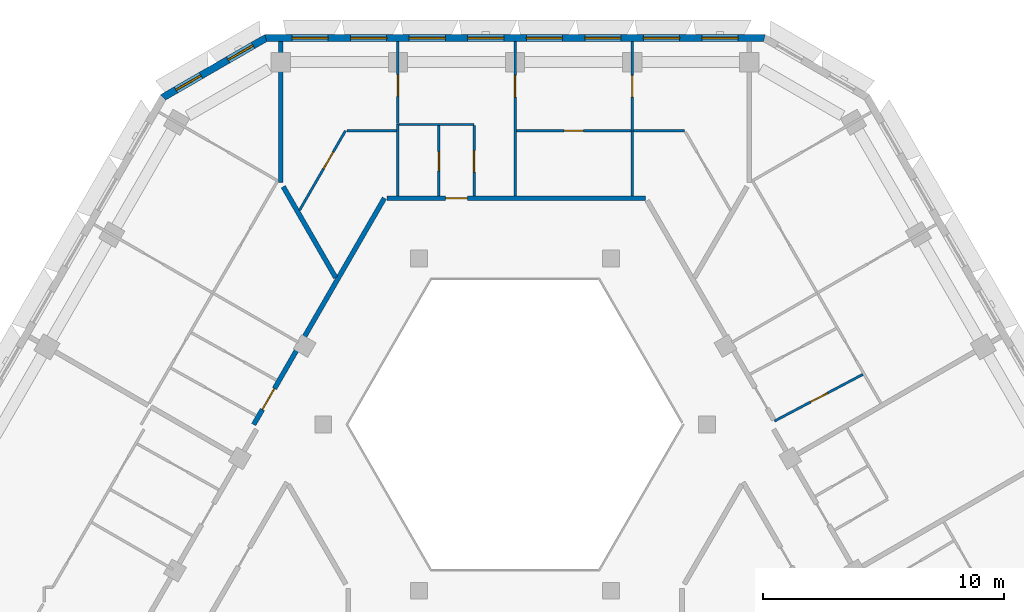
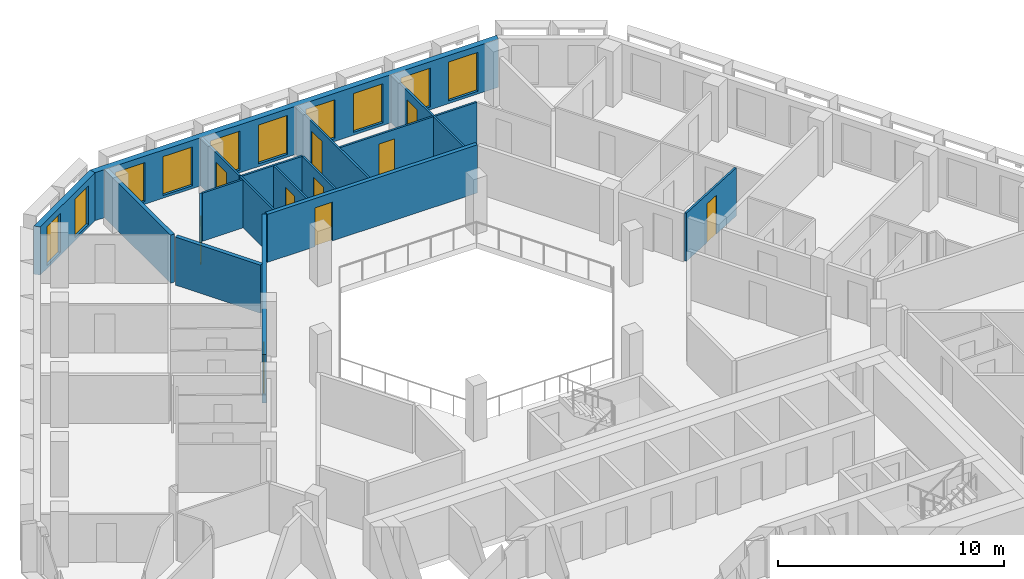
# One storey, part 8 of 18: 18 walls, 10 doors, 10 windows, 20 openings.
"""IFC4 building model written with IfcOpenShell, lengths in metres."""

from ifc_helpers import new_model, si_unit, direction, frame, frame_2d, origin, place, context, subcontext, project, spatial, polyline, rectangle, outline, extrude, material, layer, layer_set, type_object, element, fill, save


model = new_model("IFC4")

# Units and contexts
model_context = context("Model", 3, precision=1e-05, world=origin(), true_north=direction((0.0, 1.0)))
body_context = subcontext(model_context, "Body", "Model", "MODEL_VIEW")
ifc_project = project(units=[si_unit("LENGTHUNIT", "METRE"), si_unit("AREAUNIT", "SQUARE_METRE"), si_unit("VOLUMEUNIT", "CUBIC_METRE"), si_unit("PLANEANGLEUNIT", "RADIAN"), si_unit("MASSUNIT", "GRAM", prefix="KILO")], contexts=[model_context])

# Site, building, storey
site_placement = place(None, origin())
site = spatial("IfcSite", under=ifc_project, at=site_placement, CompositionType="ELEMENT")
building_placement = place(site_placement, origin())
building = spatial("IfcBuilding", under=site, at=building_placement, Name="Beryl Residences", CompositionType="ELEMENT")
storey_placement = place(building_placement, frame((0.0, 0.0, 196.199951171875)))
storey = spatial("IfcBuildingStorey", under=building, at=storey_placement, Name="L60", CompositionType="ELEMENT", Elevation=196.199951171875)

# Wall, openings, windows
ifc_material_1 = material(Name="Composite metal panel with mineral wool insulation")
ifc_layer_1 = layer(ifc_material_1, 0.300048828125)
ifc_layer_set_1 = layer_set([ifc_layer_1], Name="ES1 pale metal composite panel wall 300 mm")
wall_type_1 = type_object("IfcWallType", Name="ES1 pale metal composite panel wall 300 mm", PredefinedType="SOLIDWALL", material=ifc_layer_set_1)
wall_1_placement = place(storey_placement, frame((10.39208984375, 24.050048828125, 0.0), z_axis=(0.0, 0.0, 1.0), x_axis=(-1.0, 0.0, 0.0)))
wall_1 = element("IfcWall", 1, at=wall_1_placement, inside=storey, type_object=wall_type_1, Name="ES1 external wall L60 N", PredefinedType="SOLIDWALL", context=body_context, shape_type="SweptSolid", body=[
    extrude(outline(polyline([(0.0, -0.14990234375), (20.7841796875, -0.14990234375), (20.703857421875, 0.14990234375), (0.080322265625, 0.14990234375), (0.0, -0.14990234375)])), origin(), (0.0, 0.0, 1.0), 2.60009765625),
])
opening_1_placement = place(wall_1_placement, frame((1.1298828125, 0.0, 0.14990234375)))
opening_1 = element("IfcOpeningElement", 2, at=opening_1_placement, cuts=wall_1, Name="Opening W1", PredefinedType="OPENING", context=body_context, shape_type="SweptSolid", body=[
    extrude(rectangle(XDim=1.5, YDim=2.10009765625, at=frame_2d((0.75, 1.050048828125))), frame((0.0, 0.159912109375, 0.0), z_axis=(0.0, -1.0, 0.0), x_axis=(1.0, 0.0, 0.0)), (0.0, 0.0, 1.0), 0.320068359375),
])
opening_2_placement = place(wall_1_placement, frame((3.56201171875, 0.0, 0.14990234375)))
opening_2 = element("IfcOpeningElement", 3, at=opening_2_placement, cuts=wall_1, Name="Opening W1", PredefinedType="OPENING", context=body_context, shape_type="SweptSolid", body=[
    extrude(rectangle(XDim=1.5, YDim=2.10009765625, at=frame_2d((0.75, 1.050048828125))), frame((0.0, 0.159912109375, 0.0), z_axis=(0.0, -1.0, 0.0), x_axis=(1.0, 0.0, 0.0)), (0.0, 0.0, 1.0), 0.320068359375),
])
opening_3_placement = place(wall_1_placement, frame((5.993896484375, 0.0, 0.14990234375)))
opening_3 = element("IfcOpeningElement", 4, at=opening_3_placement, cuts=wall_1, Name="Opening W1", PredefinedType="OPENING", context=body_context, shape_type="SweptSolid", body=[
    extrude(rectangle(XDim=1.5, YDim=2.10009765625, at=frame_2d((0.75, 1.050048828125))), frame((0.0, 0.159912109375, 0.0), z_axis=(0.0, -1.0, 0.0), x_axis=(1.0, 0.0, 0.0)), (0.0, 0.0, 1.0), 0.320068359375),
])
opening_4_placement = place(wall_1_placement, frame((8.426025390625, 0.0, 0.14990234375)))
opening_4 = element("IfcOpeningElement", 5, at=opening_4_placement, cuts=wall_1, Name="Opening W1", PredefinedType="OPENING", context=body_context, shape_type="SweptSolid", body=[
    extrude(rectangle(XDim=1.5, YDim=2.10009765625, at=frame_2d((0.75, 1.050048828125))), frame((0.0, 0.159912109375, 0.0), z_axis=(0.0, -1.0, 0.0), x_axis=(1.0, 0.0, 0.0)), (0.0, 0.0, 1.0), 0.320068359375),
])
opening_5_placement = place(wall_1_placement, frame((10.85791015625, 0.0, 0.14990234375)))
opening_5 = element("IfcOpeningElement", 6, at=opening_5_placement, cuts=wall_1, Name="Opening W1", PredefinedType="OPENING", context=body_context, shape_type="SweptSolid", body=[
    extrude(rectangle(XDim=1.5, YDim=2.10009765625, at=frame_2d((0.75, 1.050048828125))), frame((0.0, 0.159912109375, 0.0), z_axis=(0.0, -1.0, 0.0), x_axis=(1.0, 0.0, 0.0)), (0.0, 0.0, 1.0), 0.320068359375),
])
opening_6_placement = place(wall_1_placement, frame((13.2900390625, 0.0, 0.14990234375)))
opening_6 = element("IfcOpeningElement", 7, at=opening_6_placement, cuts=wall_1, Name="Opening W1", PredefinedType="OPENING", context=body_context, shape_type="SweptSolid", body=[
    extrude(rectangle(XDim=1.5, YDim=2.10009765625, at=frame_2d((0.75, 1.050048828125))), frame((0.0, 0.159912109375, 0.0), z_axis=(0.0, -1.0, 0.0), x_axis=(1.0, 0.0, 0.0)), (0.0, 0.0, 1.0), 0.320068359375),
])
opening_7_placement = place(wall_1_placement, frame((15.721923828125, 0.0, 0.14990234375)))
opening_7 = element("IfcOpeningElement", 8, at=opening_7_placement, cuts=wall_1, Name="Opening W1", PredefinedType="OPENING", context=body_context, shape_type="SweptSolid", body=[
    extrude(rectangle(XDim=1.5, YDim=2.10009765625, at=frame_2d((0.75, 1.050048828125))), frame((0.0, 0.159912109375, 0.0), z_axis=(0.0, -1.0, 0.0), x_axis=(1.0, 0.0, 0.0)), (0.0, 0.0, 1.0), 0.320068359375),
])
opening_8_placement = place(wall_1_placement, frame((18.154052734375, 0.0, 0.14990234375)))
opening_8 = element("IfcOpeningElement", 9, at=opening_8_placement, cuts=wall_1, Name="Opening W1", PredefinedType="OPENING", context=body_context, shape_type="SweptSolid", body=[
    extrude(rectangle(XDim=1.5, YDim=2.10009765625, at=frame_2d((0.75, 1.050048828125))), frame((0.0, 0.159912109375, 0.0), z_axis=(0.0, -1.0, 0.0), x_axis=(1.0, 0.0, 0.0)), (0.0, 0.0, 1.0), 0.320068359375),
])
ifc_material_2 = material(Name="Aluminium and clear glass", Category="aluminium")
window_type_1 = type_object("IfcWindowType", Name="W1 cell window 1500 x 2100 mm", PartitioningType="SINGLE_PANEL", PredefinedType="WINDOW", material=ifc_material_2)
window_1_placement = place(opening_1_placement, origin())
window_1 = element("IfcWindow", 10, at=window_1_placement, inside=storey, type_object=window_type_1, Name="W1 window L60 N 1", OverallHeight=2.10009765625, OverallWidth=1.5, PartitioningType="SINGLE_PANEL", PredefinedType="WINDOW", context=body_context, shape_type="SweptSolid", body=[
    extrude(rectangle(XDim=1.5, YDim=2.10009765625, at=frame_2d((0.75, 1.050048828125))), frame((0.0, 0.030029296875, 0.0), z_axis=(0.0, -1.0, 0.0), x_axis=(1.0, 0.0, 0.0)), (0.0, 0.0, 1.0), 0.06005859375),
])
fill(opening_1, window_1)
window_2_placement = place(opening_2_placement, origin())
window_2 = element("IfcWindow", 11, at=window_2_placement, inside=storey, type_object=window_type_1, Name="W1 window L60 N 2", OverallHeight=2.10009765625, OverallWidth=1.5, PartitioningType="SINGLE_PANEL", PredefinedType="WINDOW", context=body_context, shape_type="SweptSolid", body=[
    extrude(rectangle(XDim=1.5, YDim=2.10009765625, at=frame_2d((0.75, 1.050048828125))), frame((0.0, 0.030029296875, 0.0), z_axis=(0.0, -1.0, 0.0), x_axis=(1.0, 0.0, 0.0)), (0.0, 0.0, 1.0), 0.06005859375),
])
fill(opening_2, window_2)
window_3_placement = place(opening_3_placement, origin())
window_3 = element("IfcWindow", 12, at=window_3_placement, inside=storey, type_object=window_type_1, Name="W1 window L60 N 3", OverallHeight=2.10009765625, OverallWidth=1.5, PartitioningType="SINGLE_PANEL", PredefinedType="WINDOW", context=body_context, shape_type="SweptSolid", body=[
    extrude(rectangle(XDim=1.5, YDim=2.10009765625, at=frame_2d((0.75, 1.050048828125))), frame((0.0, 0.030029296875, 0.0), z_axis=(0.0, -1.0, 0.0), x_axis=(1.0, 0.0, 0.0)), (0.0, 0.0, 1.0), 0.06005859375),
])
fill(opening_3, window_3)
window_4_placement = place(opening_4_placement, origin())
window_4 = element("IfcWindow", 13, at=window_4_placement, inside=storey, type_object=window_type_1, Name="W1 window L60 N 4", OverallHeight=2.10009765625, OverallWidth=1.5, PartitioningType="SINGLE_PANEL", PredefinedType="WINDOW", context=body_context, shape_type="SweptSolid", body=[
    extrude(rectangle(XDim=1.5, YDim=2.10009765625, at=frame_2d((0.75, 1.050048828125))), frame((0.0, 0.030029296875, 0.0), z_axis=(0.0, -1.0, 0.0), x_axis=(1.0, 0.0, 0.0)), (0.0, 0.0, 1.0), 0.06005859375),
])
fill(opening_4, window_4)
window_5_placement = place(opening_5_placement, origin())
window_5 = element("IfcWindow", 14, at=window_5_placement, inside=storey, type_object=window_type_1, Name="W1 window L60 N 5", OverallHeight=2.10009765625, OverallWidth=1.5, PartitioningType="SINGLE_PANEL", PredefinedType="WINDOW", context=body_context, shape_type="SweptSolid", body=[
    extrude(rectangle(XDim=1.5, YDim=2.10009765625, at=frame_2d((0.75, 1.050048828125))), frame((0.0, 0.030029296875, 0.0), z_axis=(0.0, -1.0, 0.0), x_axis=(1.0, 0.0, 0.0)), (0.0, 0.0, 1.0), 0.06005859375),
])
fill(opening_5, window_5)
window_6_placement = place(opening_6_placement, origin())
window_6 = element("IfcWindow", 15, at=window_6_placement, inside=storey, type_object=window_type_1, Name="W1 window L60 N 6", OverallHeight=2.10009765625, OverallWidth=1.5, PartitioningType="SINGLE_PANEL", PredefinedType="WINDOW", context=body_context, shape_type="SweptSolid", body=[
    extrude(rectangle(XDim=1.5, YDim=2.10009765625, at=frame_2d((0.75, 1.050048828125))), frame((0.0, 0.030029296875, 0.0), z_axis=(0.0, -1.0, 0.0), x_axis=(1.0, 0.0, 0.0)), (0.0, 0.0, 1.0), 0.06005859375),
])
fill(opening_6, window_6)
window_7_placement = place(opening_7_placement, origin())
window_7 = element("IfcWindow", 16, at=window_7_placement, inside=storey, type_object=window_type_1, Name="W1 window L60 N 7", OverallHeight=2.10009765625, OverallWidth=1.5, PartitioningType="SINGLE_PANEL", PredefinedType="WINDOW", context=body_context, shape_type="SweptSolid", body=[
    extrude(rectangle(XDim=1.5, YDim=2.10009765625, at=frame_2d((0.75, 1.050048828125))), frame((0.0, 0.030029296875, 0.0), z_axis=(0.0, -1.0, 0.0), x_axis=(1.0, 0.0, 0.0)), (0.0, 0.0, 1.0), 0.06005859375),
])
fill(opening_7, window_7)
window_8_placement = place(opening_8_placement, origin())
window_8 = element("IfcWindow", 17, at=window_8_placement, inside=storey, type_object=window_type_1, Name="W1 window L60 N 8", OverallHeight=2.10009765625, OverallWidth=1.5, PartitioningType="SINGLE_PANEL", PredefinedType="WINDOW", context=body_context, shape_type="SweptSolid", body=[
    extrude(rectangle(XDim=1.5, YDim=2.10009765625, at=frame_2d((0.75, 1.050048828125))), frame((0.0, 0.030029296875, 0.0), z_axis=(0.0, -1.0, 0.0), x_axis=(1.0, 0.0, 0.0)), (0.0, 0.0, 1.0), 0.06005859375),
])
fill(opening_8, window_8)

wall_2_placement = place(storey_placement, frame((-10.31689453125, 24.070068359375, 0.0), z_axis=(0.0, 0.0, 1.0), x_axis=(-0.866022959057, -0.500004234368, 0.0)))
wall_2 = element("IfcWall", 18, at=wall_2_placement, inside=storey, type_object=wall_type_1, Name="ES1 external wall L60 N-NW", PredefinedType="SOLIDWALL", context=body_context, shape_type="SweptSolid", body=[
    extrude(outline(polyline([(0.0, -0.14990234375), (5.0, -0.14990234375), (4.919677734375, 0.14990234375), (0.080322265625, 0.14990234375), (0.0, -0.14990234375)])), origin(), (0.0, 0.0, 1.0), 2.60009765625),
])
opening_9_placement = place(wall_2_placement, frame((0.64990234375, 0.0, 0.14990234375)))
opening_9 = element("IfcOpeningElement", 19, at=opening_9_placement, cuts=wall_2, Name="Opening W2", PredefinedType="OPENING", context=body_context, shape_type="SweptSolid", body=[
    extrude(rectangle(XDim=1.199951171875, YDim=2.10009765625, at=frame_2d((0.60009765625, 1.050048828125))), frame((0.0, 0.159912109375, 0.0), z_axis=(0.0, -1.0, 0.0), x_axis=(1.0, 0.0, 0.0)), (0.0, 0.0, 1.0), 0.320068359375),
])
opening_10_placement = place(wall_2_placement, frame((3.14892578125, 0.0, 0.14990234375)))
opening_10 = element("IfcOpeningElement", 20, at=opening_10_placement, cuts=wall_2, Name="Opening W2", PredefinedType="OPENING", context=body_context, shape_type="SweptSolid", body=[
    extrude(rectangle(XDim=1.199951171875, YDim=2.10009765625, at=frame_2d((0.60009765625, 1.050048828125))), frame((0.0, 0.159912109375, 0.0), z_axis=(0.0, -1.0, 0.0), x_axis=(1.0, 0.0, 0.0)), (0.0, 0.0, 1.0), 0.320068359375),
])
ifc_material_3 = material(Name="Aluminium and clear glass", Category="aluminium")
window_type_2 = type_object("IfcWindowType", Name="W2 chamfer window 1200 x 2100 mm", PartitioningType="SINGLE_PANEL", PredefinedType="WINDOW", material=ifc_material_3)
window_9_placement = place(opening_9_placement, origin())
window_9 = element("IfcWindow", 21, at=window_9_placement, inside=storey, type_object=window_type_2, Name="W2 window L60 N-NW 1", OverallHeight=2.10009765625, OverallWidth=1.199951171875, PartitioningType="SINGLE_PANEL", PredefinedType="WINDOW", context=body_context, shape_type="SweptSolid", body=[
    extrude(rectangle(XDim=1.199951171875, YDim=2.10009765625, at=frame_2d((0.60009765625, 1.050048828125))), frame((0.0, 0.030029296875, 0.0), z_axis=(0.0, -1.0, 0.0), x_axis=(1.0, 0.0, 0.0)), (0.0, 0.0, 1.0), 0.06005859375),
])
fill(opening_9, window_9)
window_10_placement = place(opening_10_placement, origin())
window_10 = element("IfcWindow", 22, at=window_10_placement, inside=storey, type_object=window_type_2, Name="W2 window L60 N-NW 2", OverallHeight=2.10009765625, OverallWidth=1.199951171875, PartitioningType="SINGLE_PANEL", PredefinedType="WINDOW", context=body_context, shape_type="SweptSolid", body=[
    extrude(rectangle(XDim=1.199951171875, YDim=2.10009765625, at=frame_2d((0.60009765625, 1.050048828125))), frame((0.0, 0.030029296875, 0.0), z_axis=(0.0, -1.0, 0.0), x_axis=(1.0, 0.0, 0.0)), (0.0, 0.0, 1.0), 0.06005859375),
])
fill(opening_10, window_10)

# Wall, opening, door
ifc_material_4 = material(Name="Gypsum board partition on steel studs", Category="steel")
ifc_layer_2 = layer(ifc_material_4, 0.10009765625)
ifc_layer_set_2 = layer_set([ifc_layer_2], Name="PT1 partition 100 mm gypsum board on steel studs")
wall_type_2 = type_object("IfcWallType", Name="PT1 partition 100 mm gypsum board on steel studs", PredefinedType="PARTITIONING", material=ifc_layer_set_2)
wall_3_placement = place(storey_placement, frame((-4.864013671875, 23.89990234375, 0.0), z_axis=(0.0, 0.0, 1.0), x_axis=(0.0, -1.0, 0.0)))
wall_3 = element("IfcWall", 23, at=wall_3_placement, inside=storey, type_object=wall_type_2, Name="Wall PT1 L60 007", PredefinedType="PARTITIONING", context=body_context, shape_type="SweptSolid", body=[
    extrude(rectangle(XDim=3.389892578125, YDim=0.10009765625, at=frame_2d((1.69482421875, 0.0))), origin(), (0.0, 0.0, 1.0), 2.60009765625),
])
opening_11_placement = place(wall_3_placement, frame((1.3701171875, 0.0, 0.0)))
opening_11 = element("IfcOpeningElement", 24, at=opening_11_placement, cuts=wall_3, Name="Opening D1512", PredefinedType="OPENING", context=body_context, shape_type="SweptSolid", body=[
    extrude(rectangle(XDim=0.89990234375, YDim=2.10009765625, at=frame_2d((0.449951171875, 1.050048828125))), frame((0.0, 0.06005859375, 0.0), z_axis=(0.0, -1.0, 0.0), x_axis=(1.0, 0.0, 0.0)), (0.0, 0.0, 1.0), 0.1201171875),
])
ifc_material_5 = material(Name="Timber door leaf", Category="wood")
door_type_1 = type_object("IfcDoorType", Name="D2 room door 900 x 2100 mm", OperationType="SINGLE_SWING_LEFT", PredefinedType="DOOR", material=ifc_material_5)
door_1_placement = place(opening_11_placement, origin())
door_1 = element("IfcDoor", 25, at=door_1_placement, inside=storey, type_object=door_type_1, Name="Door D1512 L60 001", OperationType="SINGLE_SWING_RIGHT", OverallHeight=2.10009765625, OverallWidth=0.89990234375, PredefinedType="DOOR", context=body_context, shape_type="SweptSolid", body=[
    extrude(rectangle(XDim=0.89990234375, YDim=2.10009765625, at=frame_2d((0.449951171875, 1.050048828125))), frame((0.0, 0.02490234375, 0.0), z_axis=(0.0, -1.0, 0.0), x_axis=(1.0, 0.0, 0.0)), (0.0, 0.0, 1.0), 0.050048828125),
])
fill(opening_11, door_1)

wall_4_placement = place(storey_placement, frame((-1.701904296875, 20.408935546875, 0.0), z_axis=(0.0, 0.0, 1.0), x_axis=(0.0, -1.0, 0.0)))
wall_4 = element("IfcWall", 26, at=wall_4_placement, inside=storey, type_object=wall_type_2, Name="Wall PT1 L60 008", PredefinedType="PARTITIONING", context=body_context, shape_type="SweptSolid", body=[
    extrude(rectangle(XDim=2.908935546875, YDim=0.10009765625, at=frame_2d((1.45458984375, 0.0))), origin(), (0.0, 0.0, 1.0), 2.60009765625),
])
opening_12_placement = place(wall_4_placement, frame((1.029052734375, 0.0, 0.0)))
opening_12 = element("IfcOpeningElement", 27, at=opening_12_placement, cuts=wall_4, Name="Opening D1509", PredefinedType="OPENING", context=body_context, shape_type="SweptSolid", body=[
    extrude(rectangle(XDim=0.89990234375, YDim=2.10009765625, at=frame_2d((0.449951171875, 1.050048828125))), frame((0.0, 0.06005859375, 0.0), z_axis=(0.0, -1.0, 0.0), x_axis=(1.0, 0.0, 0.0)), (0.0, 0.0, 1.0), 0.1201171875),
])
door_2_placement = place(opening_12_placement, origin())
door_2 = element("IfcDoor", 28, at=door_2_placement, inside=storey, type_object=door_type_1, Name="Door D1509 L60 001", OperationType="SINGLE_SWING_LEFT", OverallHeight=2.10009765625, OverallWidth=0.89990234375, PredefinedType="DOOR", context=body_context, shape_type="SweptSolid", body=[
    extrude(rectangle(XDim=0.89990234375, YDim=2.10009765625, at=frame_2d((0.449951171875, 1.050048828125))), frame((0.0, 0.02490234375, 0.0), z_axis=(0.0, -1.0, 0.0), x_axis=(1.0, 0.0, 0.0)), (0.0, 0.0, 1.0), 0.050048828125),
])
fill(opening_12, door_2)

# Wall
wall_5_placement = place(storey_placement, frame((-6.985107421875, 20.199951171875, 0.0), z_axis=(0.0, 0.0, 1.0), x_axis=(1.0, 0.0, 0.0)))
element("IfcWall", 29, at=wall_5_placement, inside=storey, type_object=wall_type_2, Name="Wall PT1 L60 023", PredefinedType="PARTITIONING", context=body_context, shape_type="SweptSolid", body=[
    extrude(rectangle(XDim=2.071044921875, YDim=0.10009765625, at=frame_2d((1.03564453125, 0.0))), origin(), (0.0, 0.0, 1.0), 2.60009765625),
])

# Wall, opening, door
wall_6_placement = place(storey_placement, frame((0.050048828125, 20.199951171875, 0.0), z_axis=(0.0, 0.0, 1.0), x_axis=(1.0, 0.0, 0.0)))
wall_6 = element("IfcWall", 30, at=wall_6_placement, inside=storey, type_object=wall_type_2, Name="Wall PT1 L60 024", PredefinedType="PARTITIONING", context=body_context, shape_type="SweptSolid", body=[
    extrude(rectangle(XDim=6.992919921875, YDim=0.10009765625, at=frame_2d((3.49658203125, 0.0))), origin(), (0.0, 0.0, 1.0), 2.60009765625),
])
opening_13_placement = place(wall_6_placement, frame((1.98193359375, 0.0, 0.0)))
opening_13 = element("IfcOpeningElement", 31, at=opening_13_placement, cuts=wall_6, Name="Opening D1515", PredefinedType="OPENING", context=body_context, shape_type="SweptSolid", body=[
    extrude(rectangle(XDim=0.800048828125, YDim=2.10009765625, at=frame_2d((0.39990234375, 1.050048828125))), frame((0.0, 0.06005859375, 0.0), z_axis=(0.0, -1.0, 0.0), x_axis=(1.0, 0.0, 0.0)), (0.0, 0.0, 1.0), 0.1201171875),
])
ifc_material_6 = material(Name="Timber door leaf", Category="wood")
door_type_2 = type_object("IfcDoorType", Name="D3 bathroom door 800 x 2100 mm", OperationType="SINGLE_SWING_LEFT", PredefinedType="DOOR", material=ifc_material_6)
door_3_placement = place(opening_13_placement, origin())
door_3 = element("IfcDoor", 32, at=door_3_placement, inside=storey, type_object=door_type_2, Name="Door D1515 L60 001", OperationType="SINGLE_SWING_LEFT", OverallHeight=2.10009765625, OverallWidth=0.800048828125, PredefinedType="DOOR", context=body_context, shape_type="SweptSolid", body=[
    extrude(rectangle(XDim=0.800048828125, YDim=2.10009765625, at=frame_2d((0.39990234375, 1.050048828125))), frame((0.0, 0.02490234375, 0.0), z_axis=(0.0, -1.0, 0.0), x_axis=(1.0, 0.0, 0.0)), (0.0, 0.0, 1.0), 0.050048828125),
])
fill(opening_13, door_3)

# Wall
wall_7_placement = place(storey_placement, frame((-4.81396484375, 20.4599609375, 0.0), z_axis=(0.0, 0.0, 1.0), x_axis=(1.0, 0.0, 0.0)))
element("IfcWall", 33, at=wall_7_placement, inside=storey, type_object=wall_type_2, Name="Wall PT1 L60 025", PredefinedType="PARTITIONING", context=body_context, shape_type="SweptSolid", body=[
    extrude(rectangle(XDim=3.111083984375, YDim=0.10009765625, at=frame_2d((1.5556640625, 0.0))), origin(), (0.0, 0.0, 1.0), 2.60009765625),
])

# Wall, opening, door
wall_8_placement = place(storey_placement, frame((-8.948974609375, 16.89990234375, 0.0), z_axis=(0.0, 0.0, 1.0), x_axis=(0.499949850951, 0.866054355415, 0.0)))
wall_8 = element("IfcWall", 34, at=wall_8_placement, inside=storey, type_object=wall_type_2, Name="Wall PT1 L60 026", PredefinedType="PARTITIONING", context=body_context, shape_type="SweptSolid", body=[
    extrude(rectangle(XDim=3.810546875, YDim=0.10009765625, at=frame_2d((1.9052734375, 0.0))), origin(), (0.0, 0.0, 1.0), 2.60009765625),
])
opening_14_placement = place(wall_8_placement, frame((1.991943359375, 0.0, 0.0)))
opening_14 = element("IfcOpeningElement", 35, at=opening_14_placement, cuts=wall_8, Name="Opening D1516", PredefinedType="OPENING", context=body_context, shape_type="SweptSolid", body=[
    extrude(rectangle(XDim=0.800048828125, YDim=2.10009765625, at=frame_2d((0.39990234375, 1.050048828125))), frame((0.0, 0.06005859375, 0.0), z_axis=(0.0, -1.0, 0.0), x_axis=(1.0, 0.0, 0.0)), (0.0, 0.0, 1.0), 0.1201171875),
])
door_4_placement = place(opening_14_placement, origin())
door_4 = element("IfcDoor", 36, at=door_4_placement, inside=storey, type_object=door_type_2, Name="Door D1516 L60 001", OperationType="SINGLE_SWING_RIGHT", OverallHeight=2.10009765625, OverallWidth=0.800048828125, PredefinedType="DOOR", context=body_context, shape_type="SweptSolid", body=[
    extrude(rectangle(XDim=0.800048828125, YDim=2.10009765625, at=frame_2d((0.39990234375, 1.050048828125))), frame((0.0, 0.02490234375, 0.0), z_axis=(0.0, -1.0, 0.0), x_axis=(1.0, 0.0, 0.0)), (0.0, 0.0, 1.0), 0.050048828125),
])
fill(opening_14, door_4)

# Wall
wall_9_placement = place(storey_placement, frame((4.864013671875, 17.5, 0.0), z_axis=(0.0, 0.0, 1.0), x_axis=(0.0, 1.0, 0.0)))
element("IfcWall", 37, at=wall_9_placement, inside=storey, type_object=wall_type_2, Name="Wall PT1 L60 031", PredefinedType="PARTITIONING", context=body_context, shape_type="SweptSolid", body=[
    extrude(rectangle(XDim=2.699951171875, YDim=0.10009765625, at=frame_2d((1.35009765625, 0.0))), origin(), (0.0, 0.0, 1.0), 2.60009765625),
])

# Wall, opening, door
wall_10_placement = place(storey_placement, frame((0.0, 17.5, 0.0), z_axis=(0.0, 0.0, 1.0), x_axis=(0.0, 1.0, 0.0)))
wall_10 = element("IfcWall", 38, at=wall_10_placement, inside=storey, type_object=wall_type_2, Name="Wall PT1 L60 034", PredefinedType="PARTITIONING", context=body_context, shape_type="SweptSolid", body=[
    extrude(rectangle(XDim=6.39990234375, YDim=0.10009765625, at=frame_2d((3.199951171875, 0.0))), origin(), (0.0, 0.0, 1.0), 2.60009765625),
])
opening_15_placement = place(wall_10_placement, frame((4.10009765625, 0.0, 0.0)))
opening_15 = element("IfcOpeningElement", 39, at=opening_15_placement, cuts=wall_10, Name="Opening D1511", PredefinedType="OPENING", context=body_context, shape_type="SweptSolid", body=[
    extrude(rectangle(XDim=0.89990234375, YDim=2.10009765625, at=frame_2d((0.449951171875, 1.050048828125))), frame((0.0, 0.06005859375, 0.0), z_axis=(0.0, -1.0, 0.0), x_axis=(1.0, 0.0, 0.0)), (0.0, 0.0, 1.0), 0.1201171875),
])
door_5_placement = place(opening_15_placement, origin())
door_5 = element("IfcDoor", 40, at=door_5_placement, inside=storey, type_object=door_type_1, Name="Door D1511 L60 001", OperationType="SINGLE_SWING_LEFT", OverallHeight=2.10009765625, OverallWidth=0.89990234375, PredefinedType="DOOR", context=body_context, shape_type="SweptSolid", body=[
    extrude(rectangle(XDim=0.89990234375, YDim=2.10009765625, at=frame_2d((0.449951171875, 1.050048828125))), frame((0.0, 0.02490234375, 0.0), z_axis=(0.0, -1.0, 0.0), x_axis=(1.0, 0.0, 0.0)), (0.0, 0.0, 1.0), 0.050048828125),
])
fill(opening_15, door_5)

wall_11_placement = place(storey_placement, frame((-3.162109375, 17.5, 0.0), z_axis=(0.0, 0.0, 1.0), x_axis=(0.0, 1.0, 0.0)))
wall_11 = element("IfcWall", 41, at=wall_11_placement, inside=storey, type_object=wall_type_2, Name="Wall PT1 L60 035", PredefinedType="PARTITIONING", context=body_context, shape_type="SweptSolid", body=[
    extrude(rectangle(XDim=2.909912109375, YDim=0.10009765625, at=frame_2d((1.455078125, 0.0))), origin(), (0.0, 0.0, 1.0), 2.60009765625),
])
opening_16_placement = place(wall_11_placement, frame((1.030029296875, 0.0, 0.0)))
opening_16 = element("IfcOpeningElement", 42, at=opening_16_placement, cuts=wall_11, Name="Opening D1510", PredefinedType="OPENING", context=body_context, shape_type="SweptSolid", body=[
    extrude(rectangle(XDim=0.800048828125, YDim=2.10009765625, at=frame_2d((0.39990234375, 1.050048828125))), frame((0.0, 0.06005859375, 0.0), z_axis=(0.0, -1.0, 0.0), x_axis=(1.0, 0.0, 0.0)), (0.0, 0.0, 1.0), 0.1201171875),
])
door_6_placement = place(opening_16_placement, origin())
door_6 = element("IfcDoor", 43, at=door_6_placement, inside=storey, type_object=door_type_2, Name="Door D1510 L60 001", OperationType="SINGLE_SWING_RIGHT", OverallHeight=2.10009765625, OverallWidth=0.800048828125, PredefinedType="DOOR", context=body_context, shape_type="SweptSolid", body=[
    extrude(rectangle(XDim=0.800048828125, YDim=2.10009765625, at=frame_2d((0.39990234375, 1.050048828125))), frame((0.0, 0.02490234375, 0.0), z_axis=(0.0, -1.0, 0.0), x_axis=(1.0, 0.0, 0.0)), (0.0, 0.0, 1.0), 0.050048828125),
])
fill(opening_16, door_6)

# Wall
wall_12_placement = place(storey_placement, frame((-4.864013671875, 17.5, 0.0), z_axis=(0.0, 0.0, 1.0), x_axis=(0.0, 1.0, 0.0)))
element("IfcWall", 44, at=wall_12_placement, inside=storey, type_object=wall_type_2, Name="Wall PT1 L60 036", PredefinedType="PARTITIONING", context=body_context, shape_type="SweptSolid", body=[
    extrude(rectangle(XDim=2.97998046875, YDim=0.10009765625, at=frame_2d((1.489990234375, 0.0))), origin(), (0.0, 0.0, 1.0), 2.60009765625),
])

# Wall, opening, door
wall_13_placement = place(storey_placement, frame((10.77197265625, 8.14306640625, 0.0), z_axis=(0.0, 0.0, 1.0), x_axis=(0.884049480227, 0.467393320995, 0.0)))
wall_13 = element("IfcWall", 45, at=wall_13_placement, inside=storey, type_object=wall_type_2, Name="Wall PT1 L60 041", PredefinedType="PARTITIONING", context=body_context, shape_type="SweptSolid", body=[
    extrude(rectangle(XDim=4.152587890625, YDim=0.10009765625, at=frame_2d((2.076171875, 0.0))), origin(), (0.0, 0.0, 1.0), 2.60009765625),
])
opening_17_placement = place(wall_13_placement, frame((1.700927734375, 0.0, 0.0)))
opening_17 = element("IfcOpeningElement", 46, at=opening_17_placement, cuts=wall_13, Name="Opening D1502", PredefinedType="OPENING", context=body_context, shape_type="SweptSolid", body=[
    extrude(rectangle(XDim=0.800048828125, YDim=2.10009765625, at=frame_2d((0.39990234375, 1.050048828125))), frame((0.0, 0.06005859375, 0.0), z_axis=(0.0, -1.0, 0.0), x_axis=(1.0, 0.0, 0.0)), (0.0, 0.0, 1.0), 0.1201171875),
])
door_7_placement = place(opening_17_placement, origin())
door_7 = element("IfcDoor", 47, at=door_7_placement, inside=storey, type_object=door_type_2, Name="Door D1502 L60 001", OperationType="SINGLE_SWING_RIGHT", OverallHeight=2.10009765625, OverallWidth=0.800048828125, PredefinedType="DOOR", context=body_context, shape_type="SweptSolid", body=[
    extrude(rectangle(XDim=0.800048828125, YDim=2.10009765625, at=frame_2d((0.39990234375, 1.050048828125))), frame((0.0, 0.02490234375, 0.0), z_axis=(0.0, -1.0, 0.0), x_axis=(1.0, 0.0, 0.0)), (0.0, 0.0, 1.0), 0.050048828125),
])
fill(opening_17, door_7)

wall_14_placement = place(storey_placement, frame((4.864013671875, 20.199951171875, 0.0), z_axis=(0.0, 0.0, 1.0), x_axis=(0.0, 1.0, 0.0)))
wall_14 = element("IfcWall", 48, at=wall_14_placement, inside=storey, type_object=wall_type_2, Name="Wall PT1 L60 051", PredefinedType="PARTITIONING", context=body_context, shape_type="SweptSolid", body=[
    extrude(rectangle(XDim=3.699951171875, YDim=0.10009765625, at=frame_2d((1.85009765625, 0.0))), origin(), (0.0, 0.0, 1.0), 2.60009765625),
])
opening_18_placement = place(wall_14_placement, frame((1.39990234375, 0.0, 0.0)))
opening_18 = element("IfcOpeningElement", 49, at=opening_18_placement, cuts=wall_14, Name="Opening D1513", PredefinedType="OPENING", context=body_context, shape_type="SweptSolid", body=[
    extrude(rectangle(XDim=0.89990234375, YDim=2.10009765625, at=frame_2d((0.449951171875, 1.050048828125))), frame((0.0, 0.06005859375, 0.0), z_axis=(0.0, -1.0, 0.0), x_axis=(1.0, 0.0, 0.0)), (0.0, 0.0, 1.0), 0.1201171875),
])
door_8_placement = place(opening_18_placement, origin())
door_8 = element("IfcDoor", 50, at=door_8_placement, inside=storey, type_object=door_type_1, Name="Door D1513 L60 001", OperationType="SINGLE_SWING_LEFT", OverallHeight=2.10009765625, OverallWidth=0.89990234375, PredefinedType="DOOR", context=body_context, shape_type="SweptSolid", body=[
    extrude(rectangle(XDim=0.89990234375, YDim=2.10009765625, at=frame_2d((0.449951171875, 1.050048828125))), frame((0.0, 0.02490234375, 0.0), z_axis=(0.0, -1.0, 0.0), x_axis=(1.0, 0.0, 0.0)), (0.0, 0.0, 1.0), 0.050048828125),
])
fill(opening_18, door_8)

# Walls
ifc_material_7 = material(Name="Acoustic double stud gypsum board wall")
ifc_layer_3 = layer(ifc_material_7, 0.199951171875)
ifc_layer_set_3 = layer_set([ifc_layer_3], Name="PT3 party wall 200 mm acoustic double stud")
wall_type_3 = type_object("IfcWallType", Name="PT3 party wall 200 mm acoustic double stud", PredefinedType="PARTITIONING", material=ifc_layer_set_3)
wall_15_placement = place(storey_placement, frame((-9.6279296875, 17.876953125, 0.0), z_axis=(0.0, 0.0, 1.0), x_axis=(0.499890461358, -0.866088636713, 0.0)))
element("IfcWall", 51, at=wall_15_placement, inside=storey, type_object=wall_type_3, Name="Wall PT3 L60 001", PredefinedType="PARTITIONING", context=body_context, shape_type="SweptSolid", body=[
    extrude(rectangle(XDim=4.36083984375, YDim=0.199951171875, at=frame_2d((2.180419921875, 0.0))), origin(), (0.0, 0.0, 1.0), 2.60009765625),
])
wall_16_placement = place(storey_placement, frame((-9.72802734375, 18.050048828125, 0.0), z_axis=(0.0, 0.0, 1.0), x_axis=(0.0, 1.0, 0.0)))
element("IfcWall", 52, at=wall_16_placement, inside=storey, type_object=wall_type_3, Name="Wall PT3 L60 010", PredefinedType="PARTITIONING", context=body_context, shape_type="SweptSolid", body=[
    extrude(rectangle(XDim=5.849853515625, YDim=0.199951171875, at=frame_2d((2.9248046875, 0.0))), origin(), (0.0, 0.0, 1.0), 2.60009765625),
])

# Wall, opening, door
ifc_material_8 = material(Name="Double stud gypsum board wall")
ifc_layer_4 = layer(ifc_material_8, 0.199951171875)
ifc_layer_set_4 = layer_set([ifc_layer_4], Name="PT4 corridor wall 200 mm double stud")
wall_type_4 = type_object("IfcWallType", Name="PT4 corridor wall 200 mm double stud", PredefinedType="PARTITIONING", material=ifc_layer_set_4)
wall_17_placement = place(storey_placement, frame((-5.31103515625, 17.39990234375, 0.0), z_axis=(0.0, 0.0, 1.0), x_axis=(1.0, 0.0, 0.0)))
wall_17 = element("IfcWall", 53, at=wall_17_placement, inside=storey, type_object=wall_type_4, Name="Wall PT4 L60 014", PredefinedType="PARTITIONING", context=body_context, shape_type="SweptSolid", body=[
    extrude(rectangle(XDim=10.737060546875, YDim=0.199951171875, at=frame_2d((5.36865234375, 0.0))), origin(), (0.0, 0.0, 1.0), 2.60009765625),
])
opening_19_placement = place(wall_17_placement, frame((2.428955078125, 0.0, 0.0)))
opening_19 = element("IfcOpeningElement", 54, at=opening_19_placement, cuts=wall_17, Name="Opening D1508", PredefinedType="OPENING", context=body_context, shape_type="SweptSolid", body=[
    extrude(rectangle(XDim=0.89990234375, YDim=2.10009765625, at=frame_2d((0.449951171875, 1.050048828125))), frame((0.0, 0.10986328125, 0.0), z_axis=(0.0, -1.0, 0.0), x_axis=(1.0, 0.0, 0.0)), (0.0, 0.0, 1.0), 0.219970703125),
])
ifc_material_9 = material(Name="Timber door leaf", Category="wood")
door_type_3 = type_object("IfcDoorType", Name="D11 flat entrance door 900 x 2100 mm", OperationType="SINGLE_SWING_LEFT", PredefinedType="DOOR", material=ifc_material_9)
door_9_placement = place(opening_19_placement, origin())
door_9 = element("IfcDoor", 55, at=door_9_placement, inside=storey, type_object=door_type_3, Name="Door D1508 L60 001", OperationType="SINGLE_SWING_RIGHT", OverallHeight=2.10009765625, OverallWidth=0.89990234375, PredefinedType="DOOR", context=body_context, shape_type="SweptSolid", body=[
    extrude(rectangle(XDim=0.89990234375, YDim=2.10009765625, at=frame_2d((0.449951171875, 1.050048828125))), frame((0.0, 0.02490234375, 0.0), z_axis=(0.0, -1.0, 0.0), x_axis=(1.0, 0.0, 0.0)), (0.0, 0.0, 1.0), 0.050048828125),
])
fill(opening_19, door_9)

wall_18_placement = place(storey_placement, frame((-10.85400390625, 8.0, 0.0), z_axis=(0.0, 0.0, 1.0), x_axis=(0.499997637144, 0.866026767976, 0.0)))
wall_18 = element("IfcWall", 56, at=wall_18_placement, inside=storey, type_object=wall_type_4, Name="Wall PT4 L60 020", PredefinedType="PARTITIONING", context=body_context, shape_type="SweptSolid", body=[
    extrude(rectangle(XDim=10.85400390625, YDim=0.199951171875, at=frame_2d((5.427001953125, 0.0))), origin(), (0.0, 0.0, 1.0), 2.60009765625),
])
opening_20_placement = place(wall_18_placement, frame((0.720947265625, 0.0, 0.0)))
opening_20 = element("IfcOpeningElement", 57, at=opening_20_placement, cuts=wall_18, Name="Opening D1517", PredefinedType="OPENING", context=body_context, shape_type="SweptSolid", body=[
    extrude(rectangle(XDim=1.0, YDim=2.10009765625, at=frame_2d((0.5, 1.050048828125))), frame((0.0, 0.10986328125, 0.0), z_axis=(0.0, -1.0, 0.0), x_axis=(1.0, 0.0, 0.0)), (0.0, 0.0, 1.0), 0.219970703125),
])
ifc_material_10 = material(Name="Timber door leaf", Category="wood")
door_type_4 = type_object("IfcDoorType", Name="D1 flat entrance door 1000 x 2100 mm", OperationType="SINGLE_SWING_LEFT", PredefinedType="DOOR", material=ifc_material_10)
door_10_placement = place(opening_20_placement, origin())
door_10 = element("IfcDoor", 58, at=door_10_placement, inside=storey, type_object=door_type_4, Name="Door D1517 L60 001", OperationType="SINGLE_SWING_LEFT", OverallHeight=2.10009765625, OverallWidth=1.0, PredefinedType="DOOR", context=body_context, shape_type="SweptSolid", body=[
    extrude(rectangle(XDim=1.0, YDim=2.10009765625, at=frame_2d((0.5, 1.050048828125))), frame((0.0, 0.02490234375, 0.0), z_axis=(0.0, -1.0, 0.0), x_axis=(1.0, 0.0, 0.0)), (0.0, 0.0, 1.0), 0.050048828125),
])
fill(opening_20, door_10)

save(model, "model.ifc")
